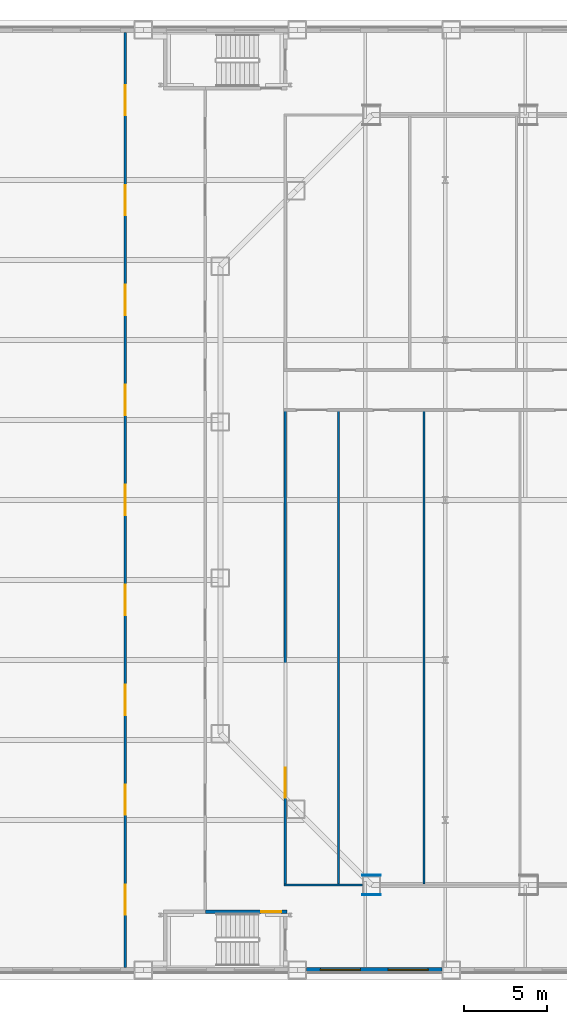
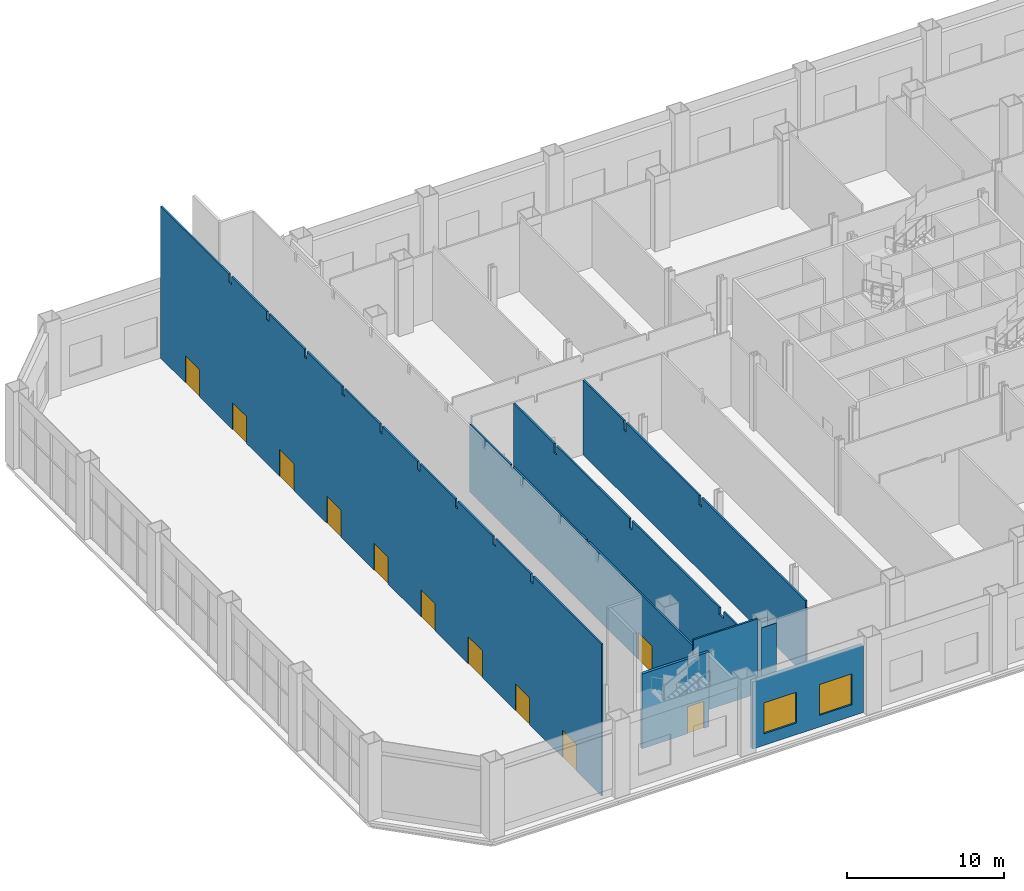
# One storey, part 16 of 31: 11 doors, 9 walls, 2 windows, 13 openings.
"""IFC4 building model written with IfcOpenShell, lengths in metres."""

from ifc_helpers import new_model, si_unit, direction, frame, frame_2d, origin, place, context, subcontext, project, spatial, polyline, rectangle, outline, extrude, material, layer, layer_set, type_object, element, fill, save


model = new_model("IFC4")

# Units and contexts
model_context = context("Model", 3, precision=1e-05, world=origin(), true_north=direction((0.0, 1.0)))
body_context = subcontext(model_context, "Body", "Model", "MODEL_VIEW")
ifc_project = project(units=[si_unit("LENGTHUNIT", "METRE"), si_unit("AREAUNIT", "SQUARE_METRE"), si_unit("VOLUMEUNIT", "CUBIC_METRE"), si_unit("PLANEANGLEUNIT", "RADIAN"), si_unit("MASSUNIT", "GRAM", prefix="KILO")], contexts=[model_context])

# Site, building, storey
site_placement = place(None, origin())
site = spatial("IfcSite", under=ifc_project, at=site_placement, CompositionType="ELEMENT")
building_placement = place(site_placement, origin())
building = spatial("IfcBuilding", under=site, at=building_placement, Name="Cairn Pilgrim Tower", CompositionType="ELEMENT")
storey_placement = place(building_placement, frame((0.0, 0.0, 9.0)))
storey = spatial("IfcBuildingStorey", under=building, at=storey_placement, Name="L01", CompositionType="ELEMENT", Elevation=9.0)

# Wall, openings, doors
ifc_material_1 = material(Name="Gypsum partition")
ifc_layer_1 = layer(ifc_material_1, 0.125)
ifc_layer_set_1 = layer_set([ifc_layer_1], Name="PARTITION 125 DRYWALL EI 60")
wall_type_1 = type_object("IfcWallType", Name="PARTITION 125 DRYWALL EI 60", PredefinedType="PARTITIONING", material=ifc_layer_set_1)
wall_1_placement = place(storey_placement, frame((-33.60009765625, -28.050048828125, 0.0), z_axis=(0.0, 0.0, 1.0), x_axis=(0.0, 1.0, 0.0)))
wall_1 = element("IfcWall", 1, at=wall_1_placement, inside=storey, type_object=wall_type_1, Name="PARTITION W001", PredefinedType="PARTITIONING", context=body_context, shape_type="SweptSolid", body=[
    extrude(outline(polyline([(0.0, 0.0), (56.10009765625, 0.0), (56.10009765625, 11.800048828125), (47.39990234375, 11.800048828125), (47.39794921875, 11.179931640625), (47.10009765625, 11.179931640625), (47.097900390625, 11.800048828125), (42.60009765625, 11.800048828125), (42.597900390625, 11.179931640625), (42.300048828125, 11.179931640625), (42.298095703125, 11.800048828125), (37.800048828125, 11.800048828125), (37.798095703125, 11.179931640625), (37.5, 11.179931640625), (37.498046875, 11.800048828125), (33.0, 11.800048828125), (32.998046875, 11.179931640625), (32.699951171875, 11.179931640625), (32.697998046875, 11.800048828125), (28.199951171875, 11.800048828125), (28.197998046875, 11.179931640625), (27.89990234375, 11.179931640625), (27.89794921875, 11.800048828125), (23.39990234375, 11.800048828125), (23.39794921875, 11.179931640625), (23.10009765625, 11.179931640625), (23.097900390625, 11.800048828125), (18.60009765625, 11.800048828125), (18.597900390625, 11.179931640625), (18.300048828125, 11.179931640625), (18.298095703125, 11.800048828125), (13.800048828125, 11.800048828125), (13.798095703125, 11.179931640625), (13.5, 11.179931640625), (13.498046875, 11.800048828125), (9.0, 11.800048828125), (8.998046875, 11.179931640625), (8.699951171875, 11.179931640625), (8.697998046875, 11.800048828125), (0.0, 11.800048828125), (0.0, 0.0)])), frame((0.0, 0.0625, 0.0), z_axis=(0.0, -1.0, 0.0), x_axis=(1.0, 0.0, 0.0)), (0.0, 0.0, 1.0), 0.125),
])
opening_1_placement = place(wall_1_placement, frame((3.14990234375, 0.0, 0.0)))
opening_1 = element("IfcOpeningElement", 2, at=opening_1_placement, cuts=wall_1, Name="Opening 0133", PredefinedType="OPENING", context=body_context, shape_type="SweptSolid", body=[
    extrude(rectangle(XDim=1.800048828125, YDim=2.10009765625, at=frame_2d((0.89990234375, 1.050048828125))), frame((0.0, 0.072509765625, 0.0), z_axis=(0.0, -1.0, 0.0), x_axis=(1.0, 0.0, 0.0)), (0.0, 0.0, 1.0), 0.14501953125),
])
opening_2_placement = place(wall_1_placement, frame((9.14990234375, 0.0, 0.0)))
opening_2 = element("IfcOpeningElement", 3, at=opening_2_placement, cuts=wall_1, Name="Opening 0134", PredefinedType="OPENING", context=body_context, shape_type="SweptSolid", body=[
    extrude(rectangle(XDim=1.800048828125, YDim=2.10009765625, at=frame_2d((0.89990234375, 1.050048828125))), frame((0.0, 0.072509765625, 0.0), z_axis=(0.0, -1.0, 0.0), x_axis=(1.0, 0.0, 0.0)), (0.0, 0.0, 1.0), 0.14501953125),
])
opening_3_placement = place(wall_1_placement, frame((15.14990234375, 0.0, 0.0)))
opening_3 = element("IfcOpeningElement", 4, at=opening_3_placement, cuts=wall_1, Name="Opening 0135", PredefinedType="OPENING", context=body_context, shape_type="SweptSolid", body=[
    extrude(rectangle(XDim=1.800048828125, YDim=2.10009765625, at=frame_2d((0.89990234375, 1.050048828125))), frame((0.0, 0.072509765625, 0.0), z_axis=(0.0, -1.0, 0.0), x_axis=(1.0, 0.0, 0.0)), (0.0, 0.0, 1.0), 0.14501953125),
])
opening_4_placement = place(wall_1_placement, frame((21.14990234375, 0.0, 0.0)))
opening_4 = element("IfcOpeningElement", 5, at=opening_4_placement, cuts=wall_1, Name="Opening 0136", PredefinedType="OPENING", context=body_context, shape_type="SweptSolid", body=[
    extrude(rectangle(XDim=1.800048828125, YDim=2.10009765625, at=frame_2d((0.89990234375, 1.050048828125))), frame((0.0, 0.072509765625, 0.0), z_axis=(0.0, -1.0, 0.0), x_axis=(1.0, 0.0, 0.0)), (0.0, 0.0, 1.0), 0.14501953125),
])
opening_5_placement = place(wall_1_placement, frame((27.14990234375, 0.0, 0.0)))
opening_5 = element("IfcOpeningElement", 6, at=opening_5_placement, cuts=wall_1, Name="Opening 0137", PredefinedType="OPENING", context=body_context, shape_type="SweptSolid", body=[
    extrude(rectangle(XDim=1.800048828125, YDim=2.10009765625, at=frame_2d((0.89990234375, 1.050048828125))), frame((0.0, 0.072509765625, 0.0), z_axis=(0.0, -1.0, 0.0), x_axis=(1.0, 0.0, 0.0)), (0.0, 0.0, 1.0), 0.14501953125),
])
opening_6_placement = place(wall_1_placement, frame((33.14990234375, 0.0, 0.0)))
opening_6 = element("IfcOpeningElement", 7, at=opening_6_placement, cuts=wall_1, Name="Opening 0138", PredefinedType="OPENING", context=body_context, shape_type="SweptSolid", body=[
    extrude(rectangle(XDim=1.800048828125, YDim=2.10009765625, at=frame_2d((0.89990234375, 1.050048828125))), frame((0.0, 0.072509765625, 0.0), z_axis=(0.0, -1.0, 0.0), x_axis=(1.0, 0.0, 0.0)), (0.0, 0.0, 1.0), 0.14501953125),
])
opening_7_placement = place(wall_1_placement, frame((39.14990234375, 0.0, 0.0)))
opening_7 = element("IfcOpeningElement", 8, at=opening_7_placement, cuts=wall_1, Name="Opening 0139", PredefinedType="OPENING", context=body_context, shape_type="SweptSolid", body=[
    extrude(rectangle(XDim=1.800048828125, YDim=2.10009765625, at=frame_2d((0.89990234375, 1.050048828125))), frame((0.0, 0.072509765625, 0.0), z_axis=(0.0, -1.0, 0.0), x_axis=(1.0, 0.0, 0.0)), (0.0, 0.0, 1.0), 0.14501953125),
])
opening_8_placement = place(wall_1_placement, frame((45.14990234375, 0.0, 0.0)))
opening_8 = element("IfcOpeningElement", 9, at=opening_8_placement, cuts=wall_1, Name="Opening 0140", PredefinedType="OPENING", context=body_context, shape_type="SweptSolid", body=[
    extrude(rectangle(XDim=1.800048828125, YDim=2.10009765625, at=frame_2d((0.89990234375, 1.050048828125))), frame((0.0, 0.072509765625, 0.0), z_axis=(0.0, -1.0, 0.0), x_axis=(1.0, 0.0, 0.0)), (0.0, 0.0, 1.0), 0.14501953125),
])
opening_9_placement = place(wall_1_placement, frame((51.14990234375, 0.0, 0.0)))
opening_9 = element("IfcOpeningElement", 10, at=opening_9_placement, cuts=wall_1, Name="Opening 0141", PredefinedType="OPENING", context=body_context, shape_type="SweptSolid", body=[
    extrude(rectangle(XDim=1.800048828125, YDim=2.10009765625, at=frame_2d((0.89990234375, 1.050048828125))), frame((0.0, 0.072509765625, 0.0), z_axis=(0.0, -1.0, 0.0), x_axis=(1.0, 0.0, 0.0)), (0.0, 0.0, 1.0), 0.14501953125),
])
ifc_material_2 = material(Name="Timber door leaf", Category="wood")
door_type_1 = type_object("IfcDoorType", Name="DOOR PAIR 1800x2100 FD60S", OperationType="NOTDEFINED", PredefinedType="DOOR", material=ifc_material_2)
door_1_placement = place(opening_1_placement, frame((1.800048828125, 0.0, 0.0), z_axis=(0.0, 0.0, 1.0), x_axis=(-1.0, 0.0, 0.0)))
door_1 = element("IfcDoor", 11, at=door_1_placement, inside=storey, type_object=door_type_1, Name="DOOR 0133", OperationType="DOUBLE_DOOR_SINGLE_SWING", OverallHeight=2.10009765625, OverallWidth=1.800048828125, PredefinedType="DOOR", context=body_context, shape_type="SweptSolid", body=[
    extrude(rectangle(XDim=1.800048828125, YDim=2.10009765625, at=frame_2d((0.89990234375, 1.050048828125))), frame((0.0, 0.02490234375, 0.0), z_axis=(0.0, -1.0, 0.0), x_axis=(1.0, 0.0, 0.0)), (0.0, 0.0, 1.0), 0.050048828125),
])
fill(opening_1, door_1)
door_2_placement = place(opening_2_placement, frame((1.800048828125, 0.0, 0.0), z_axis=(0.0, 0.0, 1.0), x_axis=(-1.0, 0.0, 0.0)))
door_2 = element("IfcDoor", 12, at=door_2_placement, inside=storey, type_object=door_type_1, Name="DOOR 0134", OperationType="DOUBLE_DOOR_SINGLE_SWING", OverallHeight=2.10009765625, OverallWidth=1.800048828125, PredefinedType="DOOR", context=body_context, shape_type="SweptSolid", body=[
    extrude(rectangle(XDim=1.800048828125, YDim=2.10009765625, at=frame_2d((0.89990234375, 1.050048828125))), frame((0.0, 0.02490234375, 0.0), z_axis=(0.0, -1.0, 0.0), x_axis=(1.0, 0.0, 0.0)), (0.0, 0.0, 1.0), 0.050048828125),
])
fill(opening_2, door_2)
door_3_placement = place(opening_3_placement, frame((1.800048828125, 0.0, 0.0), z_axis=(0.0, 0.0, 1.0), x_axis=(-1.0, 0.0, 0.0)))
door_3 = element("IfcDoor", 13, at=door_3_placement, inside=storey, type_object=door_type_1, Name="DOOR 0135", OperationType="DOUBLE_DOOR_SINGLE_SWING", OverallHeight=2.10009765625, OverallWidth=1.800048828125, PredefinedType="DOOR", context=body_context, shape_type="SweptSolid", body=[
    extrude(rectangle(XDim=1.800048828125, YDim=2.10009765625, at=frame_2d((0.89990234375, 1.050048828125))), frame((0.0, 0.02490234375, 0.0), z_axis=(0.0, -1.0, 0.0), x_axis=(1.0, 0.0, 0.0)), (0.0, 0.0, 1.0), 0.050048828125),
])
fill(opening_3, door_3)
door_4_placement = place(opening_4_placement, frame((1.800048828125, 0.0, 0.0), z_axis=(0.0, 0.0, 1.0), x_axis=(-1.0, 0.0, 0.0)))
door_4 = element("IfcDoor", 14, at=door_4_placement, inside=storey, type_object=door_type_1, Name="DOOR 0136", OperationType="DOUBLE_DOOR_SINGLE_SWING", OverallHeight=2.10009765625, OverallWidth=1.800048828125, PredefinedType="DOOR", context=body_context, shape_type="SweptSolid", body=[
    extrude(rectangle(XDim=1.800048828125, YDim=2.10009765625, at=frame_2d((0.89990234375, 1.050048828125))), frame((0.0, 0.02490234375, 0.0), z_axis=(0.0, -1.0, 0.0), x_axis=(1.0, 0.0, 0.0)), (0.0, 0.0, 1.0), 0.050048828125),
])
fill(opening_4, door_4)
door_5_placement = place(opening_5_placement, frame((1.800048828125, 0.0, 0.0), z_axis=(0.0, 0.0, 1.0), x_axis=(-1.0, 0.0, 0.0)))
door_5 = element("IfcDoor", 15, at=door_5_placement, inside=storey, type_object=door_type_1, Name="DOOR 0137", OperationType="DOUBLE_DOOR_SINGLE_SWING", OverallHeight=2.10009765625, OverallWidth=1.800048828125, PredefinedType="DOOR", context=body_context, shape_type="SweptSolid", body=[
    extrude(rectangle(XDim=1.800048828125, YDim=2.10009765625, at=frame_2d((0.89990234375, 1.050048828125))), frame((0.0, 0.02490234375, 0.0), z_axis=(0.0, -1.0, 0.0), x_axis=(1.0, 0.0, 0.0)), (0.0, 0.0, 1.0), 0.050048828125),
])
fill(opening_5, door_5)
door_6_placement = place(opening_6_placement, frame((1.800048828125, 0.0, 0.0), z_axis=(0.0, 0.0, 1.0), x_axis=(-1.0, 0.0, 0.0)))
door_6 = element("IfcDoor", 16, at=door_6_placement, inside=storey, type_object=door_type_1, Name="DOOR 0138", OperationType="DOUBLE_DOOR_SINGLE_SWING", OverallHeight=2.10009765625, OverallWidth=1.800048828125, PredefinedType="DOOR", context=body_context, shape_type="SweptSolid", body=[
    extrude(rectangle(XDim=1.800048828125, YDim=2.10009765625, at=frame_2d((0.89990234375, 1.050048828125))), frame((0.0, 0.02490234375, 0.0), z_axis=(0.0, -1.0, 0.0), x_axis=(1.0, 0.0, 0.0)), (0.0, 0.0, 1.0), 0.050048828125),
])
fill(opening_6, door_6)
door_7_placement = place(opening_7_placement, frame((1.800048828125, 0.0, 0.0), z_axis=(0.0, 0.0, 1.0), x_axis=(-1.0, 0.0, 0.0)))
door_7 = element("IfcDoor", 17, at=door_7_placement, inside=storey, type_object=door_type_1, Name="DOOR 0139", OperationType="DOUBLE_DOOR_SINGLE_SWING", OverallHeight=2.10009765625, OverallWidth=1.800048828125, PredefinedType="DOOR", context=body_context, shape_type="SweptSolid", body=[
    extrude(rectangle(XDim=1.800048828125, YDim=2.10009765625, at=frame_2d((0.89990234375, 1.050048828125))), frame((0.0, 0.02490234375, 0.0), z_axis=(0.0, -1.0, 0.0), x_axis=(1.0, 0.0, 0.0)), (0.0, 0.0, 1.0), 0.050048828125),
])
fill(opening_7, door_7)
door_8_placement = place(opening_8_placement, frame((1.800048828125, 0.0, 0.0), z_axis=(0.0, 0.0, 1.0), x_axis=(-1.0, 0.0, 0.0)))
door_8 = element("IfcDoor", 18, at=door_8_placement, inside=storey, type_object=door_type_1, Name="DOOR 0140", OperationType="DOUBLE_DOOR_SINGLE_SWING", OverallHeight=2.10009765625, OverallWidth=1.800048828125, PredefinedType="DOOR", context=body_context, shape_type="SweptSolid", body=[
    extrude(rectangle(XDim=1.800048828125, YDim=2.10009765625, at=frame_2d((0.89990234375, 1.050048828125))), frame((0.0, 0.02490234375, 0.0), z_axis=(0.0, -1.0, 0.0), x_axis=(1.0, 0.0, 0.0)), (0.0, 0.0, 1.0), 0.050048828125),
])
fill(opening_8, door_8)
door_9_placement = place(opening_9_placement, frame((1.800048828125, 0.0, 0.0), z_axis=(0.0, 0.0, 1.0), x_axis=(-1.0, 0.0, 0.0)))
door_9 = element("IfcDoor", 19, at=door_9_placement, inside=storey, type_object=door_type_1, Name="DOOR 0141", OperationType="DOUBLE_DOOR_SINGLE_SWING", OverallHeight=2.10009765625, OverallWidth=1.800048828125, PredefinedType="DOOR", context=body_context, shape_type="SweptSolid", body=[
    extrude(rectangle(XDim=1.800048828125, YDim=2.10009765625, at=frame_2d((0.89990234375, 1.050048828125))), frame((0.0, 0.02490234375, 0.0), z_axis=(0.0, -1.0, 0.0), x_axis=(1.0, 0.0, 0.0)), (0.0, 0.0, 1.0), 0.050048828125),
])
fill(opening_9, door_9)

# Wall
wall_2_placement = place(storey_placement, frame((-24.0625, -23.10009765625, 0.0), z_axis=(0.0, 0.0, 1.0), x_axis=(1.0, 0.0, 0.0)))
element("IfcWall", 20, at=wall_2_placement, inside=storey, type_object=wall_type_1, Name="PARTITION W010", PredefinedType="PARTITIONING", context=body_context, shape_type="SweptSolid", body=[
    extrude(rectangle(XDim=4.685302734375, YDim=0.125, at=frame_2d((2.3427734375, 0.0))), origin(), (0.0, 0.0, 1.0), 5.800048828125),
])

# Wall, opening, door
wall_3_placement = place(storey_placement, frame((-24.0, -23.03759765625, 0.0), z_axis=(0.0, 0.0, 1.0), x_axis=(0.0, 1.0, 0.0)))
wall_3 = element("IfcWall", 21, at=wall_3_placement, inside=storey, type_object=wall_type_1, Name="PARTITION W016", PredefinedType="PARTITIONING", context=body_context, shape_type="SweptSolid", body=[
    extrude(outline(polyline([(0.0, 0.0), (28.375, 0.0), (28.375, 5.280029296875), (23.1875, 5.280029296875), (23.185546875, 5.080078125), (22.887451171875, 5.080078125), (22.885498046875, 5.280029296875), (13.58740234375, 5.280029296875), (13.58544921875, 5.080078125), (13.28759765625, 5.080078125), (13.285400390625, 5.280029296875), (0.0, 5.280029296875), (0.0, 0.0)])), frame((0.0, 0.0625, 0.0), z_axis=(0.0, -1.0, 0.0), x_axis=(1.0, 0.0, 0.0)), (0.0, 0.0, 1.0), 0.125),
])
opening_10_placement = place(wall_3_placement, frame((5.1875, 0.0, 0.0)))
opening_10 = element("IfcOpeningElement", 22, at=opening_10_placement, cuts=wall_3, Name="Opening 0132", PredefinedType="OPENING", context=body_context, shape_type="SweptSolid", body=[
    extrude(rectangle(XDim=1.800048828125, YDim=2.10009765625, at=frame_2d((0.89990234375, 1.050048828125))), frame((0.0, 0.072509765625, 0.0), z_axis=(0.0, -1.0, 0.0), x_axis=(1.0, 0.0, 0.0)), (0.0, 0.0, 1.0), 0.14501953125),
])
door_10_placement = place(opening_10_placement, origin())
door_10 = element("IfcDoor", 23, at=door_10_placement, inside=storey, type_object=door_type_1, Name="DOOR 0132", OperationType="DOUBLE_DOOR_SINGLE_SWING", OverallHeight=2.10009765625, OverallWidth=1.800048828125, PredefinedType="DOOR", context=body_context, shape_type="SweptSolid", body=[
    extrude(rectangle(XDim=1.800048828125, YDim=2.10009765625, at=frame_2d((0.89990234375, 1.050048828125))), frame((0.0, 0.02490234375, 0.0), z_axis=(0.0, -1.0, 0.0), x_axis=(1.0, 0.0, 0.0)), (0.0, 0.0, 1.0), 0.050048828125),
])
fill(opening_10, door_10)

# Walls
wall_4_placement = place(storey_placement, frame((-20.800048828125, -23.03759765625, 0.0), z_axis=(0.0, 0.0, 1.0), x_axis=(0.0, 1.0, 0.0)))
element("IfcWall", 24, at=wall_4_placement, inside=storey, type_object=wall_type_1, Name="PARTITION W017", PredefinedType="PARTITIONING", context=body_context, shape_type="SweptSolid", body=[
    extrude(outline(polyline([(0.0, 0.0), (28.375, 0.0), (28.375, 5.800048828125), (23.1875, 5.800048828125), (23.185546875, 5.080078125), (22.887451171875, 5.080078125), (22.885498046875, 5.800048828125), (13.58740234375, 5.800048828125), (13.58544921875, 5.080078125), (13.28759765625, 5.080078125), (13.285400390625, 5.800048828125), (2.184814453125, 5.800048828125), (2.182861328125, 5.280029296875), (1.6357421875, 5.280029296875), (1.6337890625, 5.800048828125), (0.0, 5.800048828125), (0.0, 0.0)])), frame((0.0, 0.0625, 0.0), z_axis=(0.0, -1.0, 0.0), x_axis=(1.0, 0.0, 0.0)), (0.0, 0.0, 1.0), 0.125),
])
wall_5_placement = place(storey_placement, frame((-15.679931640625, -23.03759765625, 0.0), z_axis=(0.0, 0.0, 1.0), x_axis=(0.0, 1.0, 0.0)))
element("IfcWall", 25, at=wall_5_placement, inside=storey, type_object=wall_type_1, Name="PARTITION W018", PredefinedType="PARTITIONING", context=body_context, shape_type="SweptSolid", body=[
    extrude(outline(polyline([(0.0, 0.0), (28.375, 0.0), (28.375, 5.800048828125), (23.1875, 5.800048828125), (23.185546875, 5.080078125), (22.887451171875, 5.080078125), (22.885498046875, 5.800048828125), (13.58740234375, 5.800048828125), (13.58544921875, 5.080078125), (13.28759765625, 5.080078125), (13.285400390625, 5.800048828125), (0.08740234375, 5.800048828125), (0.08544921875, 5.280029296875), (0.0, 5.280029296875), (0.0, 0.0)])), frame((0.0, 0.0625, 0.0), z_axis=(0.0, -1.0, 0.0), x_axis=(1.0, 0.0, 0.0)), (0.0, 0.0, 1.0), 0.125),
])
ifc_layer_2 = layer(ifc_material_1, 0.050048828125)
ifc_layer_set_2 = layer_set([ifc_layer_2], Name="PARTITION 50 DRYWALL EI 60")
wall_type_2 = type_object("IfcWallType", Name="PARTITION 50 DRYWALL EI 60", PredefinedType="PARTITIONING", material=ifc_layer_set_2)
wall_6_placement = place(storey_placement, frame((-19.377197265625, -22.52490234375, 0.0), z_axis=(0.0, 0.0, 1.0), x_axis=(1.0, 0.0, 0.0)))
element("IfcWall", 26, at=wall_6_placement, inside=storey, type_object=wall_type_2, Name="COLUMN CASING WC01", PredefinedType="PARTITIONING", context=body_context, shape_type="SweptSolid", body=[
    extrude(rectangle(XDim=1.10009765625, YDim=0.050048828125, at=frame_2d((0.550048828125, 0.0))), origin(), (0.0, 0.0, 1.0), 5.179931640625),
])
wall_7_placement = place(storey_placement, frame((-19.377197265625, -23.675048828125, 0.0), z_axis=(0.0, 0.0, 1.0), x_axis=(1.0, 0.0, 0.0)))
element("IfcWall", 27, at=wall_7_placement, inside=storey, type_object=wall_type_2, Name="COLUMN CASING WC02", PredefinedType="PARTITIONING", context=body_context, shape_type="SweptSolid", body=[
    extrude(rectangle(XDim=1.10009765625, YDim=0.050048828125, at=frame_2d((0.550048828125, 0.0))), origin(), (0.0, 0.0, 1.0), 5.419921875),
])

# Wall, opening, door
ifc_material_3 = material(Name="Concrete C35/45", Category="concrete")
ifc_layer_3 = layer(ifc_material_3, 0.199951171875)
ifc_layer_set_3 = layer_set([ifc_layer_3], Name="PODIUM STAIR WALL 200 EI 120")
wall_type_3 = type_object("IfcWallType", Name="PODIUM STAIR WALL 200 EI 120", PredefinedType="SOLIDWALL", material=ifc_layer_set_3)
wall_8_placement = place(storey_placement, frame((-28.800048828125, -24.699951171875, 0.0), z_axis=(0.0, 0.0, 1.0), x_axis=(1.0, 0.0, 0.0)))
wall_8 = element("IfcWall", 28, at=wall_8_placement, inside=storey, type_object=wall_type_3, Name="STAIR SHAFT WALL W008", PredefinedType="SOLIDWALL", context=body_context, shape_type="SweptSolid", body=[
    extrude(rectangle(XDim=4.900146484375, YDim=0.199951171875, at=frame_2d((2.4501953125, 0.0))), origin(), (0.0, 0.0, 1.0), 5.800048828125),
])
opening_11_placement = place(wall_8_placement, frame((3.35009765625, 0.0, 0.0)))
opening_11 = element("IfcOpeningElement", 29, at=opening_11_placement, cuts=wall_8, Name="Opening 0126", PredefinedType="OPENING", context=body_context, shape_type="SweptSolid", body=[
    extrude(rectangle(XDim=1.199951171875, YDim=2.10009765625, at=frame_2d((0.60009765625, 1.050048828125))), frame((0.0, 0.10986328125, 0.0), z_axis=(0.0, -1.0, 0.0), x_axis=(1.0, 0.0, 0.0)), (0.0, 0.0, 1.0), 0.219970703125),
])
ifc_material_4 = material(Name="Steel-faced fire door leaf", Category="steel")
door_type_2 = type_object("IfcDoorType", Name="FIRE DOOR 1200x2100 FD60S", OperationType="NOTDEFINED", PredefinedType="DOOR", material=ifc_material_4)
door_11_placement = place(opening_11_placement, frame((1.199951171875, 0.0, 0.0), z_axis=(0.0, 0.0, 1.0), x_axis=(-1.0, 0.0, 0.0)))
door_11 = element("IfcDoor", 30, at=door_11_placement, inside=storey, type_object=door_type_2, Name="DOOR 0126", OperationType="SINGLE_SWING_RIGHT", OverallHeight=2.10009765625, OverallWidth=1.199951171875, PredefinedType="DOOR", context=body_context, shape_type="SweptSolid", body=[
    extrude(rectangle(XDim=1.199951171875, YDim=2.10009765625, at=frame_2d((0.60009765625, 1.050048828125))), frame((0.0, 0.02490234375, 0.0), z_axis=(0.0, -1.0, 0.0), x_axis=(1.0, 0.0, 0.0)), (0.0, 0.0, 1.0), 0.050048828125),
])
fill(opening_11, door_11)

# Wall, openings, windows
ifc_material_5 = material(Name="Concrete C35/45 backup wall with bronze aluminium cladding", Category="concrete")
ifc_layer_4 = layer(ifc_material_5, 0.300048828125)
ifc_layer_set_4 = layer_set([ifc_layer_4], Name="PODIUM WALL 300 BRONZE-CLAD")
wall_type_4 = type_object("IfcWallType", Name="PODIUM WALL 300 BRONZE-CLAD", PredefinedType="SOLIDWALL", material=ifc_layer_set_4)
wall_9_placement = place(storey_placement, frame((-22.7255859375, -28.199951171875, 0.0), z_axis=(0.0, 0.0, 1.0), x_axis=(1.0, 0.0, 0.0)))
wall_9 = element("IfcWall", 31, at=wall_9_placement, inside=storey, type_object=wall_type_4, Name="PODIUM EXTERNAL WALL S3-S4", PredefinedType="SOLIDWALL", context=body_context, shape_type="SweptSolid", body=[
    extrude(rectangle(XDim=8.1376953125, YDim=0.300048828125, at=frame_2d((4.06884765625, 0.0))), origin(), (0.0, 0.0, 1.0), 5.199951171875),
])
opening_12_placement = place(wall_9_placement, frame((0.83447265625, 0.0, 0.89990234375)))
opening_12 = element("IfcOpeningElement", 32, at=opening_12_placement, cuts=wall_9, Name="Opening PW24", PredefinedType="OPENING", context=body_context, shape_type="SweptSolid", body=[
    extrude(rectangle(XDim=2.39990234375, YDim=2.39990234375, at=frame_2d((1.199951171875, 1.199951171875))), frame((0.0, 0.16015625, 0.0), z_axis=(0.0, -1.0, 0.0), x_axis=(1.0, 0.0, 0.0)), (0.0, 0.0, 1.0), 0.320068359375),
])
opening_13_placement = place(wall_9_placement, frame((4.9033203125, 0.0, 0.89990234375)))
opening_13 = element("IfcOpeningElement", 33, at=opening_13_placement, cuts=wall_9, Name="Opening PW24", PredefinedType="OPENING", context=body_context, shape_type="SweptSolid", body=[
    extrude(rectangle(XDim=2.39990234375, YDim=2.39990234375, at=frame_2d((1.199951171875, 1.199951171875))), frame((0.0, 0.16015625, 0.0), z_axis=(0.0, -1.0, 0.0), x_axis=(1.0, 0.0, 0.0)), (0.0, 0.0, 1.0), 0.320068359375),
])
ifc_material_6 = material(Name="Bronze anodised aluminium frame with tinted low-E glass", Category="aluminium")
window_type = type_object("IfcWindowType", Name="PODIUM FIXED WINDOW 2400x2400", PartitioningType="SINGLE_PANEL", PredefinedType="WINDOW", material=ifc_material_6)
window_1_placement = place(opening_12_placement, origin())
window_1 = element("IfcWindow", 34, at=window_1_placement, inside=storey, type_object=window_type, Name="PODIUM WINDOW", OverallHeight=2.39990234375, OverallWidth=2.39990234375, PartitioningType="SINGLE_PANEL", PredefinedType="WINDOW", context=body_context, shape_type="SweptSolid", body=[
    extrude(rectangle(XDim=2.39990234375, YDim=2.39990234375, at=frame_2d((1.199951171875, 1.199951171875))), frame((0.0, 0.030029296875, 0.0), z_axis=(0.0, -1.0, 0.0), x_axis=(1.0, 0.0, 0.0)), (0.0, 0.0, 1.0), 0.06005859375),
])
fill(opening_12, window_1)
window_2_placement = place(opening_13_placement, origin())
window_2 = element("IfcWindow", 35, at=window_2_placement, inside=storey, type_object=window_type, Name="PODIUM WINDOW", OverallHeight=2.39990234375, OverallWidth=2.39990234375, PartitioningType="SINGLE_PANEL", PredefinedType="WINDOW", context=body_context, shape_type="SweptSolid", body=[
    extrude(rectangle(XDim=2.39990234375, YDim=2.39990234375, at=frame_2d((1.199951171875, 1.199951171875))), frame((0.0, 0.030029296875, 0.0), z_axis=(0.0, -1.0, 0.0), x_axis=(1.0, 0.0, 0.0)), (0.0, 0.0, 1.0), 0.06005859375),
])
fill(opening_13, window_2)

save(model, "model.ifc")
